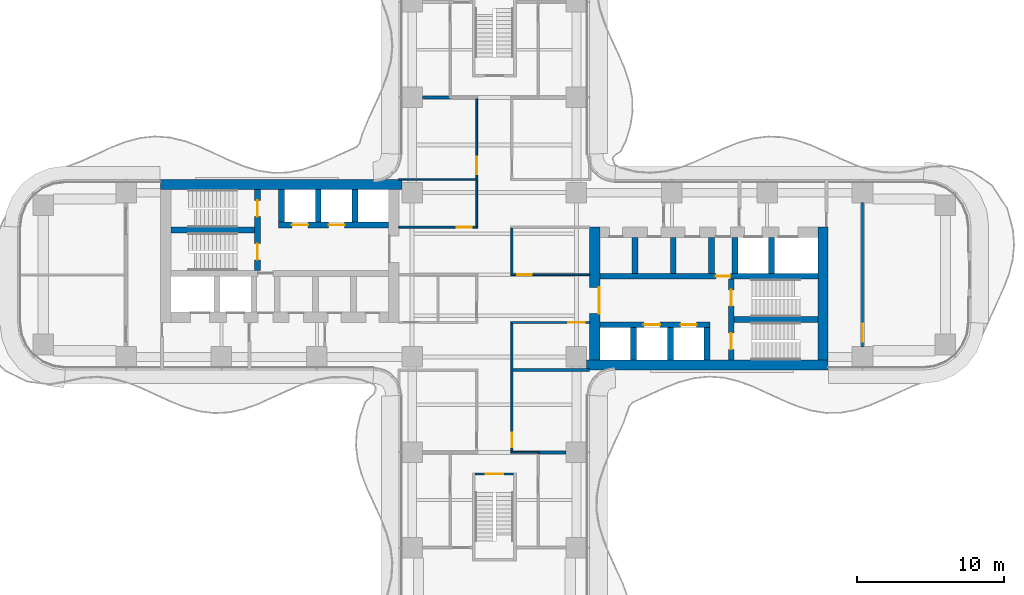
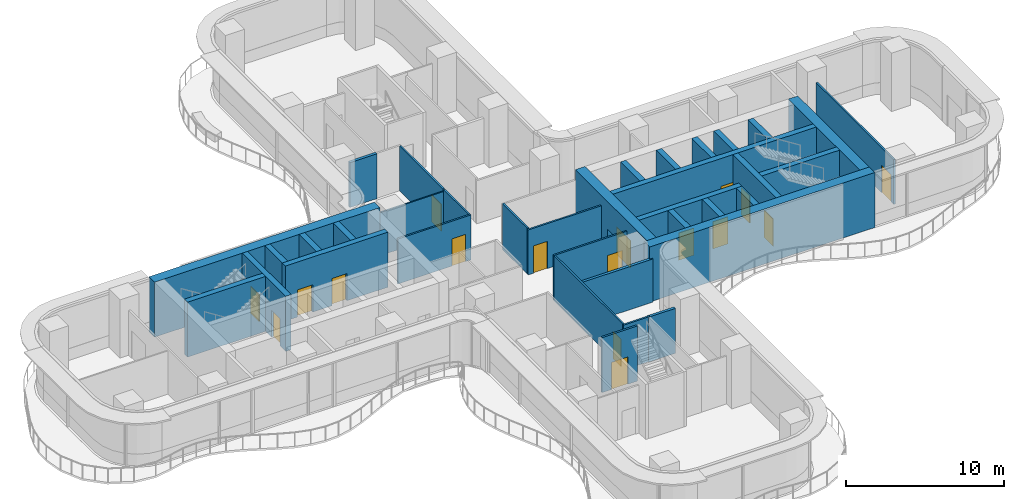
# One storey, part 18 of 22: 36 walls, 17 doors, 17 openings.
"""IFC4 building model written with IfcOpenShell, lengths in metres."""

from ifc_helpers import new_model, si_unit, direction, frame, frame_2d, origin, place, context, subcontext, project, spatial, rectangle, extrude, source, transform, mapped, material, layer, layer_set, type_object, element, fill, save


model = new_model("IFC4")

# Units and contexts
model_context = context("Model", 3, precision=1e-05, world=origin(), true_north=direction((0.0, 1.0)))
body_context = subcontext(model_context, "Body", "Model", "MODEL_VIEW")
ifc_project = project(units=[si_unit("LENGTHUNIT", "METRE"), si_unit("AREAUNIT", "SQUARE_METRE"), si_unit("VOLUMEUNIT", "CUBIC_METRE"), si_unit("PLANEANGLEUNIT", "RADIAN"), si_unit("MASSUNIT", "GRAM", prefix="KILO")], contexts=[model_context])

# Site, building, storey
site_placement = place(None, origin())
site = spatial("IfcSite", under=ifc_project, at=site_placement, CompositionType="ELEMENT")
building_placement = place(site_placement, origin())
building = spatial("IfcBuilding", under=site, at=building_placement, Name="Trellis Farm Tower", CompositionType="ELEMENT")
storey_placement = place(building_placement, frame((0.0, 0.0, 38.5)))
storey = spatial("IfcBuildingStorey", under=building, at=storey_placement, Name="L07", CompositionType="ELEMENT", Elevation=38.5)

# Wall, opening, door
ifc_material_1 = material(Name="Concrete C80/95", Category="concrete")
ifc_layer_1 = layer(ifc_material_1, 0.699951171875)
ifc_layer_set_1 = layer_set([ifc_layer_1], Name="CORE OUTER WALL 700 CONCRETE C80/95")
wall_type_1 = type_object("IfcWallType", Name="CORE OUTER WALL 700 CONCRETE C80/95", PredefinedType="SHEAR", material=ifc_layer_set_1)
shared_shape_1 = source(origin(), body_context, "Body", "SweptSolid", [
    extrude(rectangle(XDim=9.050048828125, YDim=0.699951171875, at=frame_2d((4.52490234375, 0.0))), origin(), (0.0, 0.0, 1.0), 4.25),
])
wall_1_placement = place(storey_placement, frame((6.85009765625, -5.800048828125, 0.0), z_axis=(0.0, 0.0, 1.0), x_axis=(0.0, 1.0, 0.0)))
wall_1 = element("IfcWall", 1, at=wall_1_placement, inside=storey, type_object=wall_type_1, Name="Core wall", PredefinedType="SHEAR", context=body_context, shape_type="MappedRepresentation", body=[
    mapped(shared_shape_1, transform((0.0, 0.0, 0.0))),
])
shared_shape_2 = source(origin(), body_context, "Body", "SweptSolid", [
    extrude(rectangle(XDim=1.800048828125, YDim=2.10009765625, at=frame_2d((0.89990234375, 1.050048828125))), frame((0.0, 0.360107421875, 0.0), z_axis=(0.0, -1.0, 0.0), x_axis=(1.0, 0.0, 0.0)), (0.0, 0.0, 1.0), 0.72021484375),
])
opening_1_placement = place(wall_1_placement, frame((3.14990234375, 0.0, 0.0)))
opening_1 = element("IfcOpeningElement", 2, at=opening_1_placement, cuts=wall_1, Name="Opening DC1", PredefinedType="OPENING", context=body_context, shape_type="MappedRepresentation", body=[
    mapped(shared_shape_2, transform((0.0, 0.0, 0.0))),
])
ifc_material_2 = material(Name="Steel", Category="steel")
door_type_1 = type_object("IfcDoorType", Name="CORE FIRE DOOR DOUBLE 1800 X 2100", OperationType="DOUBLE_DOOR_SINGLE_SWING", PredefinedType="DOOR", material=ifc_material_2)
shared_shape_3 = source(origin(), body_context, "Body", "SweptSolid", [
    extrude(rectangle(XDim=1.800048828125, YDim=2.10009765625, at=frame_2d((0.89990234375, 1.050048828125))), frame((0.0, -0.27490234375, 0.0), z_axis=(0.0, -1.0, 0.0), x_axis=(1.0, 0.0, 0.0)), (0.0, 0.0, 1.0), 0.050048828125),
])
door_1_placement = place(opening_1_placement, origin())
door_1 = element("IfcDoor", 3, at=door_1_placement, inside=storey, type_object=door_type_1, Name="Core door", OperationType="DOUBLE_DOOR_SINGLE_SWING", OverallHeight=2.10009765625, OverallWidth=1.800048828125, PredefinedType="DOOR", context=body_context, shape_type="MappedRepresentation", body=[
    mapped(shared_shape_3, transform((0.0, 0.0, 0.0))),
])
fill(opening_1, door_1)

# Walls
wall_2_placement = place(storey_placement, frame((22.39990234375, -5.800048828125, 0.0), z_axis=(0.0, 0.0, 1.0), x_axis=(0.0, 1.0, 0.0)))
element("IfcWall", 4, at=wall_2_placement, inside=storey, type_object=wall_type_1, Name="Core wall", PredefinedType="SHEAR", context=body_context, shape_type="MappedRepresentation", body=[
    mapped(shared_shape_1, transform((0.0, 0.0, 0.0))),
])
ifc_layer_2 = layer(ifc_material_1, 0.39990234375)
ifc_layer_set_2 = layer_set([ifc_layer_2], Name="CORE INNER WALL 400 CONCRETE C80/95")
wall_type_2 = type_object("IfcWallType", Name="CORE INNER WALL 400 CONCRETE C80/95", PredefinedType="SHEAR", material=ifc_layer_set_2)
shared_shape_4 = source(origin(), body_context, "Body", "SweptSolid", [
    extrude(rectangle(XDim=2.199951171875, YDim=0.39990234375, at=frame_2d((1.10009765625, 0.0))), origin(), (0.0, 0.0, 1.0), 4.25),
])
for number, where, z_axis, x_axis, name in (
    (5, (9.5, -5.800048828125, 0.0), (0.0, 0.0, 1.0), (0.0, 1.0, 0.0), "Core wall"),
    (6, (12.0, -5.800048828125, 0.0), (0.0, 0.0, 1.0), (0.0, 1.0, 0.0), "Core wall"),
    (7, (14.5, -5.800048828125, 0.0), (0.0, 0.0, 1.0), (0.0, 1.0, 0.0), "Core wall"),
    (8, (-9.5, 5.800048828125, 0.0), (0.0, 0.0, 1.0), (0.0, -1.0, 0.0), "Core wall"),
    (9, (-12.0, 5.800048828125, 0.0), (0.0, 0.0, 1.0), (0.0, -1.0, 0.0), "Core wall"),
    (10, (-14.5, 5.800048828125, 0.0), (0.0, 0.0, 1.0), (0.0, -1.0, 0.0), "Core wall"),
):
    element("IfcWall", number, at=place(storey_placement, frame(where, z_axis=z_axis, x_axis=x_axis)), inside=storey, type_object=wall_type_2, Name=name, PredefinedType="SHEAR", context=body_context, shape_type="MappedRepresentation", body=[
        mapped(shared_shape_4, transform((0.0, 0.0, 0.0))),
    ])
shared_shape_5 = source(origin(), body_context, "Body", "SweptSolid", [
    extrude(rectangle(XDim=2.449951171875, YDim=0.39990234375, at=frame_2d((1.22509765625, 0.0))), origin(), (0.0, 0.0, 1.0), 4.25),
])
for number, where, z_axis, x_axis, name in (
    (11, (9.60009765625, 0.10009765625, 0.0), (0.0, 0.0, 1.0), (0.0, 1.0, 0.0), "Core wall"),
    (12, (12.199951171875, 0.10009765625, 0.0), (0.0, 0.0, 1.0), (0.0, 1.0, 0.0), "Core wall"),
    (13, (14.800048828125, 0.10009765625, 0.0), (0.0, 0.0, 1.0), (0.0, 1.0, 0.0), "Core wall"),
    (14, (16.39990234375, 0.10009765625, 0.0), (0.0, 0.0, 1.0), (0.0, 1.0, 0.0), "Core wall"),
    (15, (18.89990234375, 0.10009765625, 0.0), (0.0, 0.0, 1.0), (0.0, 1.0, 0.0), "Core wall"),
):
    element("IfcWall", number, at=place(storey_placement, frame(where, z_axis=z_axis, x_axis=x_axis)), inside=storey, type_object=wall_type_2, Name=name, PredefinedType="SHEAR", context=body_context, shape_type="MappedRepresentation", body=[
        mapped(shared_shape_5, transform((0.0, 0.0, 0.0))),
    ])
shared_shape_6 = source(origin(), body_context, "Body", "SweptSolid", [
    extrude(rectangle(XDim=16.449951171875, YDim=0.699951171875, at=frame_2d((8.22509765625, 0.0))), origin(), (0.0, 0.0, 1.0), 4.25),
])
for number, where, z_axis, x_axis, name in (
    (16, (6.300048828125, -6.14990234375, 0.0), (0.0, 0.0, 1.0), (1.0, 0.0, 0.0), "Core wall"),
    (17, (-6.300048828125, 6.14990234375, 0.0), (0.0, 0.0, 1.0), (-1.0, 0.0, 0.0), "Core wall"),
):
    element("IfcWall", number, at=place(storey_placement, frame(where, z_axis=z_axis, x_axis=x_axis)), inside=storey, type_object=wall_type_1, Name=name, PredefinedType="SHEAR", context=body_context, shape_type="MappedRepresentation", body=[
        mapped(shared_shape_6, transform((0.0, 0.0, 0.0))),
    ])

# Wall, openings, doors
shared_shape_7 = source(origin(), body_context, "Body", "SweptSolid", [
    extrude(rectangle(XDim=7.5, YDim=0.39990234375, at=frame_2d((3.75, 0.0))), origin(), (0.0, 0.0, 1.0), 4.25),
])
wall_3_placement = place(storey_placement, frame((7.199951171875, -3.39990234375, 0.0), z_axis=(0.0, 0.0, 1.0), x_axis=(1.0, 0.0, 0.0)))
wall_3 = element("IfcWall", 18, at=wall_3_placement, inside=storey, type_object=wall_type_2, Name="Core wall", PredefinedType="SHEAR", context=body_context, shape_type="MappedRepresentation", body=[
    mapped(shared_shape_7, transform((0.0, 0.0, 0.0))),
])
shared_shape_8 = source(origin(), body_context, "Body", "SweptSolid", [
    extrude(rectangle(XDim=1.10009765625, YDim=2.10009765625, at=frame_2d((0.550048828125, 1.050048828125))), frame((0.0, 0.2099609375, 0.0), z_axis=(0.0, -1.0, 0.0), x_axis=(1.0, 0.0, 0.0)), (0.0, 0.0, 1.0), 0.419921875),
])
opening_2_placement = place(wall_3_placement, frame((3.0, 0.0, 0.0)))
opening_2 = element("IfcOpeningElement", 19, at=opening_2_placement, cuts=wall_3, Name="Opening LD2", PredefinedType="OPENING", context=body_context, shape_type="MappedRepresentation", body=[
    mapped(shared_shape_8, transform((0.0, 0.0, 0.0))),
])
opening_3_placement = place(wall_3_placement, frame((5.5, 0.0, 0.0)))
opening_3 = element("IfcOpeningElement", 20, at=opening_3_placement, cuts=wall_3, Name="Opening LD3", PredefinedType="OPENING", context=body_context, shape_type="MappedRepresentation", body=[
    mapped(shared_shape_8, transform((0.0, 0.0, 0.0))),
])
ifc_material_3 = material(Name="Stainless steel", Category="steel")
door_type_2 = type_object("IfcDoorType", Name="LIFT LANDING DOOR 1100 X 2100", OperationType="DOUBLE_DOOR_SLIDING", PredefinedType="DOOR", material=ifc_material_3)
shared_shape_9 = source(origin(), body_context, "Body", "SweptSolid", [
    extrude(rectangle(XDim=1.10009765625, YDim=2.10009765625, at=frame_2d((0.550048828125, 1.050048828125))), frame((0.0, 0.02490234375, 0.0), z_axis=(0.0, -1.0, 0.0), x_axis=(1.0, 0.0, 0.0)), (0.0, 0.0, 1.0), 0.050048828125),
])
door_2_placement = place(opening_2_placement, origin())
door_2 = element("IfcDoor", 21, at=door_2_placement, inside=storey, type_object=door_type_2, Name="Lift landing door", OperationType="DOUBLE_DOOR_SLIDING", OverallHeight=2.10009765625, OverallWidth=1.10009765625, PredefinedType="DOOR", context=body_context, shape_type="MappedRepresentation", body=[
    mapped(shared_shape_9, transform((0.0, 0.0, 0.0))),
])
fill(opening_2, door_2)
door_3_placement = place(opening_3_placement, origin())
door_3 = element("IfcDoor", 22, at=door_3_placement, inside=storey, type_object=door_type_2, Name="Lift landing door", OperationType="DOUBLE_DOOR_SLIDING", OverallHeight=2.10009765625, OverallWidth=1.10009765625, PredefinedType="DOOR", context=body_context, shape_type="MappedRepresentation", body=[
    mapped(shared_shape_9, transform((0.0, 0.0, 0.0))),
])
fill(opening_3, door_3)

wall_4_placement = place(storey_placement, frame((-7.199951171875, 3.39990234375, 0.0), z_axis=(0.0, 0.0, 1.0), x_axis=(-1.0, 0.0, 0.0)))
wall_4 = element("IfcWall", 23, at=wall_4_placement, inside=storey, type_object=wall_type_2, Name="Core wall", PredefinedType="SHEAR", context=body_context, shape_type="MappedRepresentation", body=[
    mapped(shared_shape_7, transform((0.0, 0.0, 0.0))),
])
opening_4_placement = place(wall_4_placement, frame((3.0, 0.0, 0.0)))
opening_4 = element("IfcOpeningElement", 24, at=opening_4_placement, cuts=wall_4, Name="Opening LD10", PredefinedType="OPENING", context=body_context, shape_type="MappedRepresentation", body=[
    mapped(shared_shape_8, transform((0.0, 0.0, 0.0))),
])
opening_5_placement = place(wall_4_placement, frame((5.5, 0.0, 0.0)))
opening_5 = element("IfcOpeningElement", 25, at=opening_5_placement, cuts=wall_4, Name="Opening LD11", PredefinedType="OPENING", context=body_context, shape_type="MappedRepresentation", body=[
    mapped(shared_shape_8, transform((0.0, 0.0, 0.0))),
])
door_4_placement = place(opening_4_placement, origin())
door_4 = element("IfcDoor", 26, at=door_4_placement, inside=storey, type_object=door_type_2, Name="Lift landing door", OperationType="DOUBLE_DOOR_SLIDING", OverallHeight=2.10009765625, OverallWidth=1.10009765625, PredefinedType="DOOR", context=body_context, shape_type="MappedRepresentation", body=[
    mapped(shared_shape_9, transform((0.0, 0.0, 0.0))),
])
fill(opening_4, door_4)
door_5_placement = place(opening_5_placement, origin())
door_5 = element("IfcDoor", 27, at=door_5_placement, inside=storey, type_object=door_type_2, Name="Lift landing door", OperationType="DOUBLE_DOOR_SLIDING", OverallHeight=2.10009765625, OverallWidth=1.10009765625, PredefinedType="DOOR", context=body_context, shape_type="MappedRepresentation", body=[
    mapped(shared_shape_9, transform((0.0, 0.0, 0.0))),
])
fill(opening_5, door_5)

# Wall, opening, door
shared_shape_10 = source(origin(), body_context, "Body", "SweptSolid", [
    extrude(rectangle(XDim=14.85009765625, YDim=0.39990234375, at=frame_2d((7.425048828125, 0.0))), origin(), (0.0, 0.0, 1.0), 4.25),
])
wall_5_placement = place(storey_placement, frame((7.199951171875, -0.10009765625, 0.0), z_axis=(0.0, 0.0, 1.0), x_axis=(1.0, 0.0, 0.0)))
wall_5 = element("IfcWall", 28, at=wall_5_placement, inside=storey, type_object=wall_type_2, Name="Core wall", PredefinedType="SHEAR", context=body_context, shape_type="MappedRepresentation", body=[
    mapped(shared_shape_10, transform((0.0, 0.0, 0.0))),
])
shared_shape_11 = source(origin(), body_context, "Body", "SweptSolid", [
    extrude(rectangle(XDim=1.0, YDim=2.10009765625, at=frame_2d((0.5, 1.050048828125))), frame((0.0, 0.2099609375, 0.0), z_axis=(0.0, -1.0, 0.0), x_axis=(1.0, 0.0, 0.0)), (0.0, 0.0, 1.0), 0.419921875),
])
opening_6_placement = place(wall_5_placement, frame((7.89990234375, 0.0, 0.0)))
opening_6 = element("IfcOpeningElement", 29, at=opening_6_placement, cuts=wall_5, Name="Opening DC5", PredefinedType="OPENING", context=body_context, shape_type="MappedRepresentation", body=[
    mapped(shared_shape_11, transform((0.0, 0.0, 0.0))),
])
door_type_3 = type_object("IfcDoorType", Name="CORE FIRE DOOR 1000 X 2100", OperationType="NOTDEFINED", PredefinedType="DOOR", material=ifc_material_2)
shared_shape_12 = source(origin(), body_context, "Body", "SweptSolid", [
    extrude(rectangle(XDim=1.0, YDim=2.10009765625, at=frame_2d((0.5, 1.050048828125))), frame((0.0, 0.02490234375, 0.0), z_axis=(0.0, -1.0, 0.0), x_axis=(1.0, 0.0, 0.0)), (0.0, 0.0, 1.0), 0.050048828125),
])
door_6_placement = place(opening_6_placement, origin())
door_6 = element("IfcDoor", 30, at=door_6_placement, inside=storey, type_object=door_type_3, Name="Core door", OperationType="SINGLE_SWING_RIGHT", OverallHeight=2.10009765625, OverallWidth=1.0, PredefinedType="DOOR", context=body_context, shape_type="MappedRepresentation", body=[
    mapped(shared_shape_12, transform((0.0, 0.0, 0.0))),
])
fill(opening_6, door_6)

# Wall, openings, doors
shared_shape_13 = source(origin(), body_context, "Body", "SweptSolid", [
    extrude(rectangle(XDim=5.5, YDim=0.39990234375, at=frame_2d((2.75, 0.0))), origin(), (0.0, 0.0, 1.0), 4.25),
])
wall_6_placement = place(storey_placement, frame((16.14990234375, -5.800048828125, 0.0), z_axis=(0.0, 0.0, 1.0), x_axis=(0.0, 1.0, 0.0)))
wall_6 = element("IfcWall", 31, at=wall_6_placement, inside=storey, type_object=wall_type_2, Name="Core wall", PredefinedType="SHEAR", context=body_context, shape_type="MappedRepresentation", body=[
    mapped(shared_shape_13, transform((0.0, 0.0, 0.0))),
])
opening_7_placement = place(wall_6_placement, frame((0.72509765625, 0.0, 0.0)))
opening_7 = element("IfcOpeningElement", 32, at=opening_7_placement, cuts=wall_6, Name="Opening DC2", PredefinedType="OPENING", context=body_context, shape_type="MappedRepresentation", body=[
    mapped(shared_shape_8, transform((0.0, 0.0, 0.0))),
])
opening_8_placement = place(wall_6_placement, frame((3.675048828125, 0.0, 0.0)))
opening_8 = element("IfcOpeningElement", 33, at=opening_8_placement, cuts=wall_6, Name="Opening DC3", PredefinedType="OPENING", context=body_context, shape_type="MappedRepresentation", body=[
    mapped(shared_shape_8, transform((0.0, 0.0, 0.0))),
])
door_type_4 = type_object("IfcDoorType", Name="CORE FIRE DOOR 1100 X 2100", OperationType="NOTDEFINED", PredefinedType="DOOR", material=ifc_material_2)
door_7_placement = place(opening_7_placement, origin())
door_7 = element("IfcDoor", 34, at=door_7_placement, inside=storey, type_object=door_type_4, Name="Core door", OperationType="SINGLE_SWING_RIGHT", OverallHeight=2.10009765625, OverallWidth=1.10009765625, PredefinedType="DOOR", context=body_context, shape_type="MappedRepresentation", body=[
    mapped(shared_shape_9, transform((0.0, 0.0, 0.0))),
])
fill(opening_7, door_7)
door_8_placement = place(opening_8_placement, origin())
door_8 = element("IfcDoor", 35, at=door_8_placement, inside=storey, type_object=door_type_4, Name="Core door", OperationType="SINGLE_SWING_LEFT", OverallHeight=2.10009765625, OverallWidth=1.10009765625, PredefinedType="DOOR", context=body_context, shape_type="MappedRepresentation", body=[
    mapped(shared_shape_9, transform((0.0, 0.0, 0.0))),
])
fill(opening_8, door_8)

wall_7_placement = place(storey_placement, frame((-16.14990234375, 5.800048828125, 0.0), z_axis=(0.0, 0.0, 1.0), x_axis=(0.0, -1.0, 0.0)))
wall_7 = element("IfcWall", 36, at=wall_7_placement, inside=storey, type_object=wall_type_2, Name="Core wall", PredefinedType="SHEAR", context=body_context, shape_type="MappedRepresentation", body=[
    mapped(shared_shape_13, transform((0.0, 0.0, 0.0))),
])
opening_9_placement = place(wall_7_placement, frame((0.72509765625, 0.0, 0.0)))
opening_9 = element("IfcOpeningElement", 37, at=opening_9_placement, cuts=wall_7, Name="Opening DC88", PredefinedType="OPENING", context=body_context, shape_type="MappedRepresentation", body=[
    mapped(shared_shape_8, transform((0.0, 0.0, 0.0))),
])
opening_10_placement = place(wall_7_placement, frame((3.675048828125, 0.0, 0.0)))
opening_10 = element("IfcOpeningElement", 38, at=opening_10_placement, cuts=wall_7, Name="Opening DC89", PredefinedType="OPENING", context=body_context, shape_type="MappedRepresentation", body=[
    mapped(shared_shape_8, transform((0.0, 0.0, 0.0))),
])
door_9_placement = place(opening_9_placement, origin())
door_9 = element("IfcDoor", 39, at=door_9_placement, inside=storey, type_object=door_type_4, Name="Core door", OperationType="SINGLE_SWING_RIGHT", OverallHeight=2.10009765625, OverallWidth=1.10009765625, PredefinedType="DOOR", context=body_context, shape_type="MappedRepresentation", body=[
    mapped(shared_shape_9, transform((0.0, 0.0, 0.0))),
])
fill(opening_9, door_9)
door_10_placement = place(opening_10_placement, origin())
door_10 = element("IfcDoor", 40, at=door_10_placement, inside=storey, type_object=door_type_4, Name="Core door", OperationType="SINGLE_SWING_LEFT", OverallHeight=2.10009765625, OverallWidth=1.10009765625, PredefinedType="DOOR", context=body_context, shape_type="MappedRepresentation", body=[
    mapped(shared_shape_9, transform((0.0, 0.0, 0.0))),
])
fill(opening_10, door_10)

# Walls
shared_shape_14 = source(origin(), body_context, "Body", "SweptSolid", [
    extrude(rectangle(XDim=5.699951171875, YDim=0.39990234375, at=frame_2d((2.85009765625, 0.0))), origin(), (0.0, 0.0, 1.0), 4.25),
])
for number, where, z_axis, x_axis, name in (
    (41, (16.35009765625, -3.050048828125, 0.0), (0.0, 0.0, 1.0), (1.0, 0.0, 0.0), "Core wall"),
    (42, (-16.35009765625, 3.050048828125, 0.0), (0.0, 0.0, 1.0), (-1.0, 0.0, 0.0), "Core wall"),
):
    element("IfcWall", number, at=place(storey_placement, frame(where, z_axis=z_axis, x_axis=x_axis)), inside=storey, type_object=wall_type_2, Name=name, PredefinedType="SHEAR", context=body_context, shape_type="MappedRepresentation", body=[
        mapped(shared_shape_14, transform((0.0, 0.0, 0.0))),
    ])

# Wall, opening, door
ifc_layer_3 = layer(ifc_material_1, 0.14990234375)
ifc_layer_set_3 = layer_set([ifc_layer_3], Name="CORE STAIR ENCLOSURE WALL 150 CONCRETE C80/95")
wall_type_3 = type_object("IfcWallType", Name="CORE STAIR ENCLOSURE WALL 150 CONCRETE C80/95", PredefinedType="SHEAR", material=ifc_layer_set_3)
shared_shape_15 = source(origin(), body_context, "Body", "SweptSolid", [
    extrude(rectangle(XDim=2.60009765625, YDim=0.14990234375, at=frame_2d((1.300048828125, 0.0))), origin(), (0.0, 0.0, 1.0), 4.25),
])
wall_8_placement = place(storey_placement, frame((1.300048828125, -13.574951171875, 0.0), z_axis=(0.0, 0.0, 1.0), x_axis=(-1.0, 0.0, 0.0)))
wall_8 = element("IfcWall", 43, at=wall_8_placement, inside=storey, type_object=wall_type_3, Name="Stair enclosure wall", PredefinedType="SHEAR", context=body_context, shape_type="MappedRepresentation", body=[
    mapped(shared_shape_15, transform((0.0, 0.0, 0.0))),
])
shared_shape_16 = source(origin(), body_context, "Body", "SweptSolid", [
    extrude(rectangle(XDim=1.199951171875, YDim=2.10009765625, at=frame_2d((0.60009765625, 1.050048828125))), frame((0.0, 0.0849609375, 0.0), z_axis=(0.0, -1.0, 0.0), x_axis=(1.0, 0.0, 0.0)), (0.0, 0.0, 1.0), 0.169921875),
])
opening_11_placement = place(wall_8_placement, frame((0.699951171875, 0.0, 0.0)))
opening_11 = element("IfcOpeningElement", 44, at=opening_11_placement, cuts=wall_8, Name="Opening DC174", PredefinedType="OPENING", context=body_context, shape_type="MappedRepresentation", body=[
    mapped(shared_shape_16, transform((0.0, 0.0, 0.0))),
])
door_type_5 = type_object("IfcDoorType", Name="CORE FIRE DOOR 1200 X 2100", OperationType="NOTDEFINED", PredefinedType="DOOR", material=ifc_material_2)
shared_shape_17 = source(origin(), body_context, "Body", "SweptSolid", [
    extrude(rectangle(XDim=1.199951171875, YDim=2.10009765625, at=frame_2d((0.60009765625, 1.050048828125))), frame((0.0, 0.02490234375, 0.0), z_axis=(0.0, -1.0, 0.0), x_axis=(1.0, 0.0, 0.0)), (0.0, 0.0, 1.0), 0.050048828125),
])
door_11_placement = place(opening_11_placement, origin())
door_11 = element("IfcDoor", 45, at=door_11_placement, inside=storey, type_object=door_type_5, Name="Core door", OperationType="SINGLE_SWING_RIGHT", OverallHeight=2.10009765625, OverallWidth=1.199951171875, PredefinedType="DOOR", context=body_context, shape_type="MappedRepresentation", body=[
    mapped(shared_shape_17, transform((0.0, 0.0, 0.0))),
])
fill(opening_11, door_11)

# Wall
ifc_material_4 = material(Name="Plasterboard on steel studs, mineral wool", Category="steel")
ifc_layer_4 = layer(ifc_material_4, 0.125)
ifc_layer_set_4 = layer_set([ifc_layer_4], Name="PARTITION 125 STUD EI 60")
wall_type_4 = type_object("IfcWallType", Name="PARTITION 125 STUD EI 60", PredefinedType="PARTITIONING", material=ifc_layer_set_4)
shared_shape_18 = source(origin(), body_context, "Body", "SweptSolid", [
    extrude(rectangle(XDim=3.125, YDim=0.125, at=frame_2d((1.5625, 0.0))), origin(), (0.0, 0.0, 1.0), 3.54638671875),
])
wall_9_placement = place(storey_placement, frame((1.199951171875, 3.1875, 0.0), z_axis=(0.0, 0.0, 1.0), x_axis=(0.0, -1.0, 0.0)))
element("IfcWall", 46, at=wall_9_placement, inside=storey, type_object=wall_type_4, Name="Partition PW1", PredefinedType="PARTITIONING", context=body_context, shape_type="MappedRepresentation", body=[
    mapped(shared_shape_18, transform((0.0, 0.0, 0.0))),
])

# Wall, opening, door
shared_shape_19 = source(origin(), body_context, "Body", "SweptSolid", [
    extrude(rectangle(XDim=9.7998046875, YDim=0.125, at=frame_2d((4.89990234375, 0.0))), origin(), (0.0, 0.0, 1.0), 3.4677734375),
])
wall_10_placement = place(storey_placement, frame((25.10009765625, 4.89990234375, 0.0), z_axis=(0.0, 0.0, 1.0), x_axis=(0.0, -1.0, 0.0)))
wall_10 = element("IfcWall", 47, at=wall_10_placement, inside=storey, type_object=wall_type_4, Name="Partition PW1", PredefinedType="PARTITIONING", context=body_context, shape_type="MappedRepresentation", body=[
    mapped(shared_shape_19, transform((0.0, 0.0, 0.0))),
])
shared_shape_20 = source(origin(), body_context, "Body", "SweptSolid", [
    extrude(rectangle(XDim=1.199951171875, YDim=2.10009765625, at=frame_2d((0.60009765625, 1.050048828125))), frame((0.0, 0.072509765625, 0.0), z_axis=(0.0, -1.0, 0.0), x_axis=(1.0, 0.0, 0.0)), (0.0, 0.0, 1.0), 0.14501953125),
])
opening_12_placement = place(wall_10_placement, frame((8.25, 0.0, 0.0)))
opening_12 = element("IfcOpeningElement", 48, at=opening_12_placement, cuts=wall_10, Name="Opening D601", PredefinedType="OPENING", context=body_context, shape_type="MappedRepresentation", body=[
    mapped(shared_shape_20, transform((0.0, 0.0, 0.0))),
])
ifc_material_5 = material(Name="Fire-rated timber door leaf in a hollow metal frame", Category="wood")
door_type_6 = type_object("IfcDoorType", Name="DOOR 1200x2100 FD30S", OperationType="NOTDEFINED", PredefinedType="DOOR", material=ifc_material_5)
door_12_placement = place(opening_12_placement, origin())
door_12 = element("IfcDoor", 49, at=door_12_placement, inside=storey, type_object=door_type_6, Name="Door D601", OperationType="SINGLE_SWING_RIGHT", OverallHeight=2.10009765625, OverallWidth=1.199951171875, PredefinedType="DOOR", context=body_context, shape_type="MappedRepresentation", body=[
    mapped(shared_shape_17, transform((0.0, 0.0, 0.0))),
])
fill(opening_12, door_12)

# Wall
shared_shape_21 = source(origin(), body_context, "Body", "SweptSolid", [
    extrude(rectangle(XDim=1.925048828125, YDim=0.125, at=frame_2d((0.96240234375, 0.0))), origin(), (0.0, 0.0, 1.0), 3.4677734375),
])
wall_11_placement = place(storey_placement, frame((1.137451171875, -12.10009765625, 0.0), z_axis=(0.0, 0.0, 1.0), x_axis=(1.0, 0.0, 0.0)))
element("IfcWall", 50, at=wall_11_placement, inside=storey, type_object=wall_type_4, Name="Partition PW1", PredefinedType="PARTITIONING", context=body_context, shape_type="MappedRepresentation", body=[
    mapped(shared_shape_21, transform((0.0, 0.0, 0.0))),
])

# Wall, opening, door
shared_shape_22 = source(origin(), body_context, "Body", "SweptSolid", [
    extrude(rectangle(XDim=5.362548828125, YDim=0.125, at=frame_2d((2.68115234375, 0.0))), origin(), (0.0, 0.0, 1.0), 3.4677734375),
])
wall_12_placement = place(storey_placement, frame((6.5, -3.25, 0.0), z_axis=(0.0, 0.0, 1.0), x_axis=(-1.0, 0.0, 0.0)))
wall_12 = element("IfcWall", 51, at=wall_12_placement, inside=storey, type_object=wall_type_4, Name="Partition PW1", PredefinedType="PARTITIONING", context=body_context, shape_type="MappedRepresentation", body=[
    mapped(shared_shape_22, transform((0.0, 0.0, 0.0))),
])
shared_shape_23 = source(origin(), body_context, "Body", "SweptSolid", [
    extrude(rectangle(XDim=1.10009765625, YDim=2.10009765625, at=frame_2d((0.550048828125, 1.050048828125))), frame((0.0, 0.072509765625, 0.0), z_axis=(0.0, -1.0, 0.0), x_axis=(1.0, 0.0, 0.0)), (0.0, 0.0, 1.0), 0.14501953125),
])
opening_13_placement = place(wall_12_placement, frame((0.35009765625, 0.0, 0.0)))
opening_13 = element("IfcOpeningElement", 52, at=opening_13_placement, cuts=wall_12, Name="Opening D501", PredefinedType="OPENING", context=body_context, shape_type="MappedRepresentation", body=[
    mapped(shared_shape_23, transform((0.0, 0.0, 0.0))),
])
door_type_7 = type_object("IfcDoorType", Name="DOOR 1100x2100 FD30S", OperationType="NOTDEFINED", PredefinedType="DOOR", material=ifc_material_5)
door_13_placement = place(opening_13_placement, origin())
door_13 = element("IfcDoor", 53, at=door_13_placement, inside=storey, type_object=door_type_7, Name="Door D501", OperationType="SINGLE_SWING_LEFT", OverallHeight=2.10009765625, OverallWidth=1.10009765625, PredefinedType="DOOR", context=body_context, shape_type="MappedRepresentation", body=[
    mapped(shared_shape_9, transform((0.0, 0.0, 0.0))),
])
fill(opening_13, door_13)

wall_13_placement = place(storey_placement, frame((6.5, 0.0, 0.0), z_axis=(0.0, 0.0, 1.0), x_axis=(-1.0, 0.0, 0.0)))
wall_13 = element("IfcWall", 54, at=wall_13_placement, inside=storey, type_object=wall_type_4, Name="Partition PW1", PredefinedType="PARTITIONING", context=body_context, shape_type="MappedRepresentation", body=[
    mapped(shared_shape_22, transform((0.0, 0.0, 0.0))),
])
shared_shape_24 = source(origin(), body_context, "Body", "SweptSolid", [
    extrude(rectangle(XDim=1.0, YDim=2.10009765625, at=frame_2d((0.5, 1.050048828125))), frame((0.0, 0.072509765625, 0.0), z_axis=(0.0, -1.0, 0.0), x_axis=(1.0, 0.0, 0.0)), (0.0, 0.0, 1.0), 0.14501953125),
])
opening_14_placement = place(wall_13_placement, frame((3.949951171875, 0.0, 0.0)))
opening_14 = element("IfcOpeningElement", 55, at=opening_14_placement, cuts=wall_13, Name="Opening D108", PredefinedType="OPENING", context=body_context, shape_type="MappedRepresentation", body=[
    mapped(shared_shape_24, transform((0.0, 0.0, 0.0))),
])
door_type_8 = type_object("IfcDoorType", Name="DOOR 1000x2100 FD30S", OperationType="NOTDEFINED", PredefinedType="DOOR", material=ifc_material_5)
door_14_placement = place(opening_14_placement, origin())
door_14 = element("IfcDoor", 56, at=door_14_placement, inside=storey, type_object=door_type_8, Name="Door D108", OperationType="SINGLE_SWING_RIGHT", OverallHeight=2.10009765625, OverallWidth=1.0, PredefinedType="DOOR", context=body_context, shape_type="MappedRepresentation", body=[
    mapped(shared_shape_12, transform((0.0, 0.0, 0.0))),
])
fill(opening_14, door_14)

wall_14_placement = place(storey_placement, frame((-6.5, 3.25, 0.0), z_axis=(0.0, 0.0, 1.0), x_axis=(1.0, 0.0, 0.0)))
wall_14 = element("IfcWall", 57, at=wall_14_placement, inside=storey, type_object=wall_type_4, Name="Partition PW1", PredefinedType="PARTITIONING", context=body_context, shape_type="MappedRepresentation", body=[
    mapped(shared_shape_22, transform((0.0, 0.0, 0.0))),
])
opening_15_placement = place(wall_14_placement, frame((3.949951171875, 0.0, 0.0)))
opening_15 = element("IfcOpeningElement", 58, at=opening_15_placement, cuts=wall_14, Name="Opening D109", PredefinedType="OPENING", context=body_context, shape_type="MappedRepresentation", body=[
    mapped(shared_shape_24, transform((0.0, 0.0, 0.0))),
])
door_15_placement = place(opening_15_placement, origin())
door_15 = element("IfcDoor", 59, at=door_15_placement, inside=storey, type_object=door_type_8, Name="Door D109", OperationType="SINGLE_SWING_RIGHT", OverallHeight=2.10009765625, OverallWidth=1.0, PredefinedType="DOOR", context=body_context, shape_type="MappedRepresentation", body=[
    mapped(shared_shape_12, transform((0.0, 0.0, 0.0))),
])
fill(opening_15, door_15)

# Walls
ifc_material_6 = material(Name="Lightweight blockwork, plastered", Category="masonry")
ifc_layer_5 = layer(ifc_material_6, 0.199951171875)
ifc_layer_set_5 = layer_set([ifc_layer_5], Name="BLOCK WALL 200 EI 120")
wall_type_5 = type_object("IfcWallType", Name="BLOCK WALL 200 EI 120", PredefinedType="PARTITIONING", material=ifc_layer_set_5)
shared_shape_25 = source(origin(), body_context, "Body", "SweptSolid", [
    extrude(rectangle(XDim=1.96240234375, YDim=0.199951171875, at=frame_2d((0.981201171875, 0.0))), origin(), (0.0, 0.0, 1.0), 3.4677734375),
])
for number, where, z_axis, x_axis, name in (
    (60, (2.9375, -12.10009765625, 0.0), (0.0, 0.0, 1.0), (1.0, 0.0, 0.0), "Partition PW3"),
    (61, (-4.89990234375, 12.10009765625, 0.0), (0.0, 0.0, 1.0), (1.0, 0.0, 0.0), "Partition PW3"),
):
    element("IfcWall", number, at=place(storey_placement, frame(where, z_axis=z_axis, x_axis=x_axis)), inside=storey, type_object=wall_type_5, Name=name, PredefinedType="PARTITIONING", context=body_context, shape_type="MappedRepresentation", body=[
        mapped(shared_shape_25, transform((0.0, 0.0, 0.0))),
    ])
shared_shape_26 = source(origin(), body_context, "Body", "SweptSolid", [
    extrude(rectangle(XDim=3.137451171875, YDim=0.125, at=frame_2d((1.56884765625, 0.0))), origin(), (0.0, 0.0, 1.0), 3.4677734375),
])
wall_15_placement = place(storey_placement, frame((-1.199951171875, 6.449951171875, 0.0), z_axis=(0.0, 0.0, 1.0), x_axis=(0.0, -1.0, 0.0)))
element("IfcWall", 62, at=wall_15_placement, inside=storey, type_object=wall_type_4, Name="Partition PW1", PredefinedType="PARTITIONING", context=body_context, shape_type="MappedRepresentation", body=[
    mapped(shared_shape_26, transform((0.0, 0.0, 0.0))),
])

# Wall, opening, door
shared_shape_27 = source(origin(), body_context, "Body", "SweptSolid", [
    extrude(rectangle(XDim=5.487548828125, YDim=0.125, at=frame_2d((2.74365234375, 0.0))), origin(), (0.0, 0.0, 1.0), 3.4677734375),
])
wall_16_placement = place(storey_placement, frame((-1.199951171875, 6.550048828125, 0.0), z_axis=(0.0, 0.0, 1.0), x_axis=(0.0, 1.0, 0.0)))
wall_16 = element("IfcWall", 63, at=wall_16_placement, inside=storey, type_object=wall_type_4, Name="Partition PW1", PredefinedType="PARTITIONING", context=body_context, shape_type="MappedRepresentation", body=[
    mapped(shared_shape_27, transform((0.0, 0.0, 0.0))),
])
opening_16_placement = place(wall_16_placement, frame((0.300048828125, 0.0, 0.0)))
opening_16 = element("IfcOpeningElement", 64, at=opening_16_placement, cuts=wall_16, Name="Opening D602", PredefinedType="OPENING", context=body_context, shape_type="MappedRepresentation", body=[
    mapped(shared_shape_20, transform((0.0, 0.0, 0.0))),
])
door_16_placement = place(opening_16_placement, origin())
door_16 = element("IfcDoor", 65, at=door_16_placement, inside=storey, type_object=door_type_6, Name="Door D602", OperationType="SINGLE_SWING_LEFT", OverallHeight=2.10009765625, OverallWidth=1.199951171875, PredefinedType="DOOR", context=body_context, shape_type="MappedRepresentation", body=[
    mapped(shared_shape_17, transform((0.0, 0.0, 0.0))),
])
fill(opening_16, door_16)

shared_shape_28 = source(origin(), body_context, "Body", "SweptSolid", [
    extrude(rectangle(XDim=8.72509765625, YDim=0.125, at=frame_2d((4.362548828125, 0.0))), origin(), (0.0, 0.0, 1.0), 3.4677734375),
])
wall_17_placement = place(storey_placement, frame((1.199951171875, -3.3125, 0.0), z_axis=(0.0, 0.0, 1.0), x_axis=(0.0, -1.0, 0.0)))
wall_17 = element("IfcWall", 66, at=wall_17_placement, inside=storey, type_object=wall_type_4, Name="Partition PW1", PredefinedType="PARTITIONING", context=body_context, shape_type="MappedRepresentation", body=[
    mapped(shared_shape_28, transform((0.0, 0.0, 0.0))),
])
opening_17_placement = place(wall_17_placement, frame((7.4375, 0.0, 0.0)))
opening_17 = element("IfcOpeningElement", 67, at=opening_17_placement, cuts=wall_17, Name="Opening D301", PredefinedType="OPENING", context=body_context, shape_type="MappedRepresentation", body=[
    mapped(shared_shape_24, transform((0.0, 0.0, 0.0))),
])
door_type_9 = type_object("IfcDoorType", Name="DOOR 1000x2100 FD60", OperationType="NOTDEFINED", PredefinedType="DOOR", material=ifc_material_5)
door_17_placement = place(opening_17_placement, origin())
door_17 = element("IfcDoor", 68, at=door_17_placement, inside=storey, type_object=door_type_9, Name="Door D301", OperationType="SINGLE_SWING_RIGHT", OverallHeight=2.10009765625, OverallWidth=1.0, PredefinedType="DOOR", context=body_context, shape_type="MappedRepresentation", body=[
    mapped(shared_shape_12, transform((0.0, 0.0, 0.0))),
])
fill(opening_17, door_17)

# Walls
shared_shape_29 = source(origin(), body_context, "Body", "SweptSolid", [
    extrude(rectangle(XDim=5.237548828125, YDim=0.199951171875, at=frame_2d((2.61865234375, 0.0))), origin(), (0.0, 0.0, 1.0), 3.330078125),
])
wall_18_placement = place(storey_placement, frame((1.262451171875, -6.5, 0.0), z_axis=(0.0, 0.0, 1.0), x_axis=(1.0, 0.0, 0.0)))
element("IfcWall", 69, at=wall_18_placement, inside=storey, type_object=wall_type_5, Name="Partition PW3", PredefinedType="PARTITIONING", context=body_context, shape_type="MappedRepresentation", body=[
    mapped(shared_shape_29, transform((0.0, 0.0, 0.0))),
])
ifc_material_7 = material(Name="Plasterboard on steel studs", Category="steel")
ifc_layer_6 = layer(ifc_material_7, 0.10009765625)
ifc_layer_set_6 = layer_set([ifc_layer_6], Name="PARTITION 100 STUD EI 30")
wall_type_6 = type_object("IfcWallType", Name="PARTITION 100 STUD EI 30", PredefinedType="PARTITIONING", material=ifc_layer_set_6)
shared_shape_30 = source(origin(), body_context, "Body", "SweptSolid", [
    extrude(rectangle(XDim=5.362548828125, YDim=0.10009765625, at=frame_2d((2.68115234375, 0.0))), origin(), (0.0, 0.0, 1.0), 3.330078125),
])
wall_19_placement = place(storey_placement, frame((-6.5, 6.5, 0.0), z_axis=(0.0, 0.0, 1.0), x_axis=(1.0, 0.0, 0.0)))
element("IfcWall", 70, at=wall_19_placement, inside=storey, type_object=wall_type_6, Name="Partition PW2", PredefinedType="PARTITIONING", context=body_context, shape_type="MappedRepresentation", body=[
    mapped(shared_shape_30, transform((0.0, 0.0, 0.0))),
])

save(model, "model.ifc")
